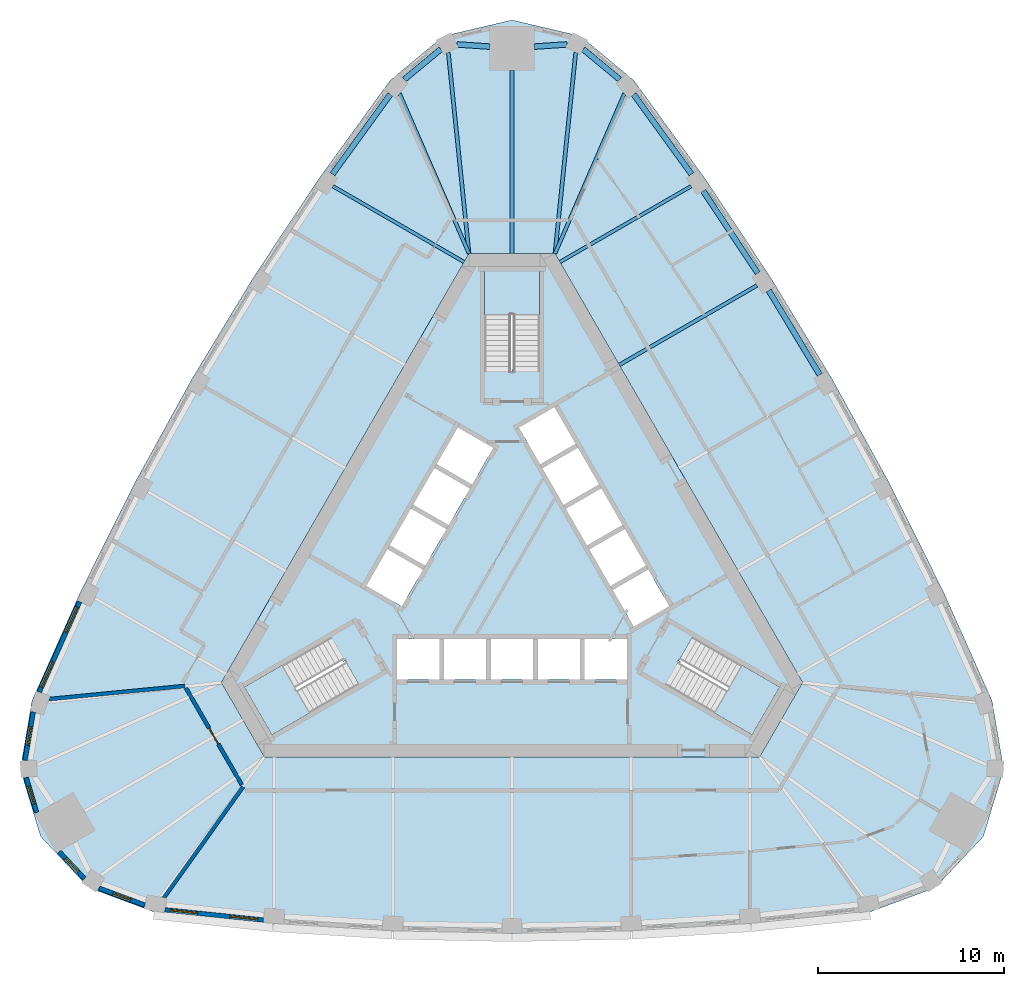
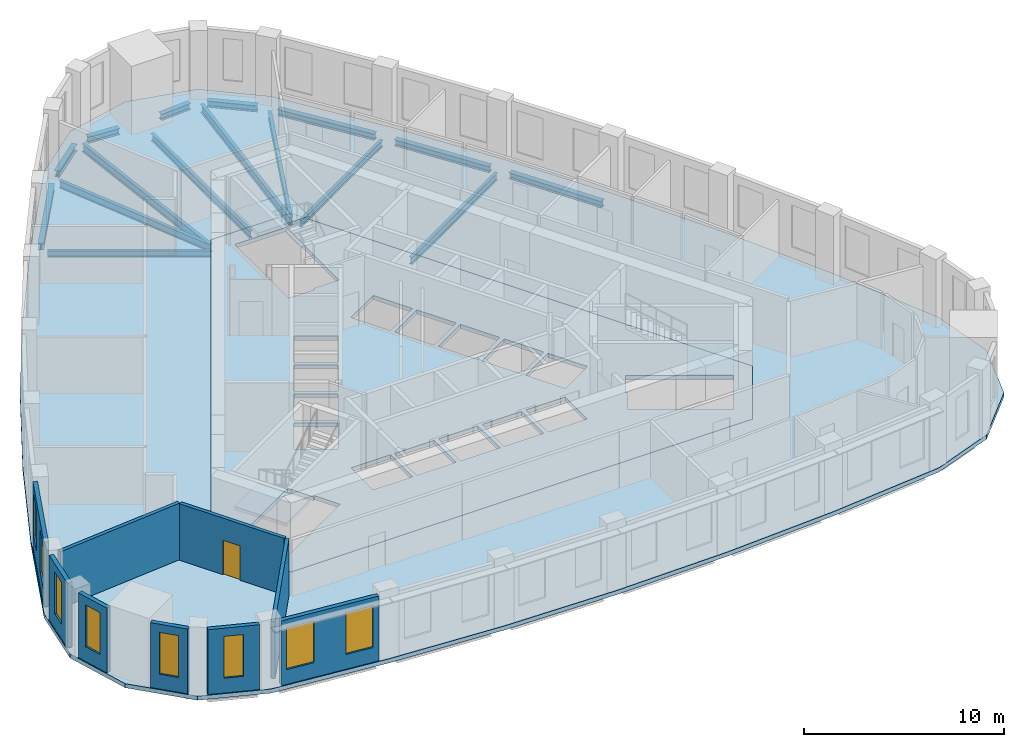
# One storey, part 2 of 10: 16 beams, 9 walls, 8 windows, 5 slabs, 1 door, 9 openings, 3 elements without a shape of their own.
"""IFC4 building model written with IfcOpenShell, lengths in metres."""

from ifc_helpers import new_model, si_unit, direction, frame, frame_2d, origin, origin_2d, place, context, subcontext, project, spatial, polyline, rectangle, i_section, outline, extrude, material, layer, layer_set, material_profile, profile_set, type_object, element, fill, aggregate, save


model = new_model("IFC4")

# Units and contexts
model_context = context("Model", 3, precision=1e-05, world=origin(), true_north=direction((0.0, 1.0)))
body_context = subcontext(model_context, "Body", "Model", "MODEL_VIEW")
ifc_project = project(units=[si_unit("LENGTHUNIT", "METRE"), si_unit("AREAUNIT", "SQUARE_METRE"), si_unit("VOLUMEUNIT", "CUBIC_METRE"), si_unit("PLANEANGLEUNIT", "RADIAN"), si_unit("MASSUNIT", "GRAM", prefix="KILO")], contexts=[model_context])

# Site, building, storey
site_placement = place(None, origin())
site = spatial("IfcSite", under=ifc_project, at=site_placement, CompositionType="ELEMENT")
building_placement = place(site_placement, origin())
building = spatial("IfcBuilding", under=site, at=building_placement, Name="Mestral Congress Tower", CompositionType="ELEMENT")
storey_placement = place(building_placement, frame((0.0, 0.0, 226.800048828125)))
storey = spatial("IfcBuildingStorey", under=building, at=storey_placement, Name="L53", CompositionType="ELEMENT", Elevation=226.800048828125)

# Beams
ifc_material_1 = material(Name="Steel S355", Category="steel")
ifc_material_profile_1 = material_profile(ifc_material_1, i_section(OverallWidth=0.179931640625, OverallDepth=0.39990234375, WebThickness=0.008544921875, FlangeThickness=0.013427734375, FilletRadius=0.02099609375, at=origin_2d()), Name="IPE 400")
ifc_profile_set_1 = profile_set([ifc_material_profile_1], Name="Steel S355")
beam_type_1 = type_object("IfcBeamType", Name="Floor beam IPE 400 S355", PredefinedType="BEAM", material=ifc_profile_set_1)
for number, where, z_axis, x_axis, name in (
    (1, (9.627197265625, 20.321533203125, -0.449951171875), (-0.86601443812, -0.500018992608, 0.0), (0.500018992608, -0.86601443812, 0.0), "BM-L53-RB4-E05"),
    (2, (-9.627197265625, 20.321533203125, -0.449951171875), (0.86601443812, -0.500018992608, 0.0), (0.500018992608, 0.86601443812, 0.0), "BM-L53-RB4-W01"),
):
    element("IfcBeam", number, at=place(storey_placement, frame(where, z_axis=z_axis, x_axis=x_axis)), inside=storey, type_object=beam_type_1, Name=name, PredefinedType="BEAM", context=body_context, shape_type="SweptSolid", body=[
        extrude(i_section(OverallWidth=0.179931640625, OverallDepth=0.39990234375, WebThickness=0.008544921875, FlangeThickness=0.013427734375, FilletRadius=0.02099609375, at=origin_2d()), origin(), (0.0, 0.0, 1.0), 8.148193359375),
    ])
ifc_material_profile_2 = material_profile(ifc_material_1, i_section(OverallWidth=0.18994140625, OverallDepth=0.449951171875, WebThickness=0.009521484375, FlangeThickness=0.0146484375, FilletRadius=0.02099609375, at=origin_2d()), Name="IPE 450")
ifc_profile_set_2 = profile_set([ifc_material_profile_2], Name="Steel S355")
beam_type_2 = type_object("IfcBeamType", Name="Floor beam IPE 450 S355", PredefinedType="BEAM", material=ifc_profile_set_2)
beam_1_placement = place(storey_placement, frame((13.16650390625, 14.98974609375, -0.47509765625), z_axis=(-0.866028621479, -0.499994426748, 0.0), x_axis=(0.499994426748, -0.866028621479, 0.0)))
element("IfcBeam", 3, at=beam_1_placement, inside=storey, type_object=beam_type_2, Name="BM-L53-RB4-E04", PredefinedType="BEAM", context=body_context, shape_type="SweptSolid", body=[
    extrude(i_section(OverallWidth=0.18994140625, OverallDepth=0.449951171875, WebThickness=0.009521484375, FlangeThickness=0.0146484375, FilletRadius=0.02099609375, at=origin_2d()), origin(), (0.0, 0.0, 1.0), 8.54736328125),
])
beam_2_placement = place(storey_placement, frame((6.0419921875, 25.296875, -0.47509765625), z_axis=(-0.398265997009, -0.91726996878, 0.0), x_axis=(0.91726996878, -0.398265997009, 0.0)))
element("IfcBeam", 4, at=beam_2_placement, inside=storey, type_object=beam_type_2, Name="BM-L53-RB4-E06", PredefinedType="BEAM", context=body_context, shape_type="SweptSolid", body=[
    extrude(i_section(OverallWidth=0.18994140625, OverallDepth=0.449951171875, WebThickness=0.009521484375, FlangeThickness=0.0146484375, FilletRadius=0.02099609375, at=origin_2d()), origin(), (0.0, 0.0, 1.0), 9.372314453125),
])
beam_3_placement = place(storey_placement, frame((0.0, 26.54443359375, -0.47509765625), z_axis=(0.0, -1.0, 0.0), x_axis=(1.0, 0.0, 0.0)))
element("IfcBeam", 5, at=beam_3_placement, inside=storey, type_object=beam_type_2, Name="BM-L53-RB4-N", PredefinedType="BEAM", context=body_context, shape_type="SweptSolid", body=[
    extrude(i_section(OverallWidth=0.18994140625, OverallDepth=0.449951171875, WebThickness=0.009521484375, FlangeThickness=0.0146484375, FilletRadius=0.02099609375, at=origin_2d()), origin(), (0.0, 0.0, 1.0), 9.844482421875),
])
beam_4_placement = place(storey_placement, frame((-6.0419921875, 25.296875, -0.47509765625), z_axis=(0.398265997009, -0.91726996878, 0.0), x_axis=(0.91726996878, 0.398265997009, 0.0)))
element("IfcBeam", 6, at=beam_4_placement, inside=storey, type_object=beam_type_2, Name="BM-L53-RB4-W00", PredefinedType="BEAM", context=body_context, shape_type="SweptSolid", body=[
    extrude(i_section(OverallWidth=0.18994140625, OverallDepth=0.449951171875, WebThickness=0.009521484375, FlangeThickness=0.0146484375, FilletRadius=0.02099609375, at=origin_2d()), origin(), (0.0, 0.0, 1.0), 9.372314453125),
])
ifc_material_profile_3 = material_profile(ifc_material_1, i_section(OverallWidth=0.199951171875, OverallDepth=0.5, WebThickness=0.01025390625, FlangeThickness=0.01611328125, FilletRadius=0.02099609375, at=origin_2d()), Name="IPE 500")
ifc_profile_set_3 = profile_set([ifc_material_profile_3], Name="Steel S355")
beam_type_3 = type_object("IfcBeamType", Name="Floor beam IPE 500 S355", PredefinedType="BEAM", material=ifc_profile_set_3)
for number, where, z_axis, x_axis, name in (
    (7, (3.4228515625, 27.5009765625, -0.5), (-0.102550876252, -0.994727760636, 0.0), (0.994727760636, -0.102550876252, 0.0), "BM-L53-RB4-N1"),
    (8, (-3.4228515625, 27.5009765625, -0.5), (0.102550876252, -0.994727760636, 0.0), (0.994727760636, 0.102550876252, 0.0), "BM-L53-RB4-N3"),
):
    element("IfcBeam", number, at=place(storey_placement, frame(where, z_axis=z_axis, x_axis=x_axis)), inside=storey, type_object=beam_type_3, Name=name, PredefinedType="BEAM", context=body_context, shape_type="SweptSolid", body=[
        extrude(i_section(OverallWidth=0.199951171875, OverallDepth=0.5, WebThickness=0.01025390625, FlangeThickness=0.01611328125, FilletRadius=0.02099609375, at=origin_2d()), origin(), (0.0, 0.0, 1.0), 10.858154296875),
    ])
ifc_material_profile_4 = material_profile(ifc_material_1, i_section(OverallWidth=0.300048828125, OverallDepth=0.389892578125, WebThickness=0.010986328125, FlangeThickness=0.01904296875, FilletRadius=0.027099609375, at=origin_2d()), Name="HEA 400")
ifc_profile_set_4 = profile_set([ifc_material_profile_4], Name="Steel S355")
beam_type_4 = type_object("IfcBeamType", Name="Spandrel beam HEA 400 S355", PredefinedType="BEAM", material=ifc_profile_set_4)
for number, where, z_axis, x_axis, name in (
    (9, (16.54248046875, 10.185791015625, -0.445068359375), (-0.517865676042, 0.855461946306, 0.0), (-0.855461946306, -0.517865676042, 0.0), "SP-L53-SB4-E03"),
    (10, (13.209228515625, 15.648193359375, -0.445068359375), (-0.552934106774, 0.833224983762, 0.0), (-0.833224983762, -0.552934106774, 0.0), "SP-L53-SB4-E04"),
):
    element("IfcBeam", number, at=place(storey_placement, frame(where, z_axis=z_axis, x_axis=x_axis)), inside=storey, type_object=beam_type_4, Name=name, PredefinedType="BEAM", context=body_context, shape_type="SweptSolid", body=[
        extrude(i_section(OverallWidth=0.300048828125, OverallDepth=0.389892578125, WebThickness=0.010986328125, FlangeThickness=0.01904296875, FilletRadius=0.027099609375, at=origin_2d()), origin(), (0.0, 0.0, 1.0), 5.29931640625),
    ])
beam_5_placement = place(storey_placement, frame((9.652099609375, 20.967529296875, -0.445068359375), z_axis=(-0.587017415163, 0.809574304369, 0.0), x_axis=(-0.809574304369, -0.587017415163, 0.0)))
element("IfcBeam", 11, at=beam_5_placement, inside=storey, type_object=beam_type_4, Name="SP-L53-SB4-E05", PredefinedType="BEAM", context=body_context, shape_type="SweptSolid", body=[
    extrude(i_section(OverallWidth=0.300048828125, OverallDepth=0.389892578125, WebThickness=0.010986328125, FlangeThickness=0.01904296875, FilletRadius=0.027099609375, at=origin_2d()), origin(), (0.0, 0.0, 1.0), 5.29736328125),
])
beam_6_placement = place(storey_placement, frame((5.789306640625, 26.058837890625, -0.445068359375), z_axis=(-0.769970431757, 0.638079567311, 0.0), x_axis=(-0.638079567311, -0.769970431757, 0.0)))
element("IfcBeam", 12, at=beam_6_placement, inside=storey, type_object=beam_type_4, Name="SP-L53-SB4-E06", PredefinedType="BEAM", context=body_context, shape_type="SweptSolid", body=[
    extrude(i_section(OverallWidth=0.300048828125, OverallDepth=0.389892578125, WebThickness=0.010986328125, FlangeThickness=0.01904296875, FilletRadius=0.027099609375, at=origin_2d()), origin(), (0.0, 0.0, 1.0), 2.547119140625),
])
for number, where, z_axis, x_axis, name in (
    (13, (2.9521484375, 27.94384765625, -0.445068359375), (-0.997724466462, -0.067423208337, 0.0), (0.067423208337, -0.997724466462, 0.0), "SP-L53-SB4-N1"),
    (14, (-1.199951171875, 27.825439453125, -0.445068359375), (-0.997724466462, 0.067423208337, 0.0), (-0.067423208337, -0.997724466462, 0.0), "SP-L53-SB4-N"),
):
    element("IfcBeam", number, at=place(storey_placement, frame(where, z_axis=z_axis, x_axis=x_axis)), inside=storey, type_object=beam_type_4, Name=name, PredefinedType="BEAM", context=body_context, shape_type="SweptSolid", body=[
        extrude(i_section(OverallWidth=0.300048828125, OverallDepth=0.389892578125, WebThickness=0.010986328125, FlangeThickness=0.01904296875, FilletRadius=0.027099609375, at=origin_2d()), origin(), (0.0, 0.0, 1.0), 1.756103515625),
    ])
beam_7_placement = place(storey_placement, frame((-3.828125, 27.68408203125, -0.445068359375), z_axis=(-0.769970431757, -0.638079567311, 0.0), x_axis=(0.638079567311, -0.769970431757, 0.0)))
element("IfcBeam", 15, at=beam_7_placement, inside=storey, type_object=beam_type_4, Name="SP-L53-SB4-N3", PredefinedType="BEAM", context=body_context, shape_type="SweptSolid", body=[
    extrude(i_section(OverallWidth=0.300048828125, OverallDepth=0.389892578125, WebThickness=0.010986328125, FlangeThickness=0.01904296875, FilletRadius=0.027099609375, at=origin_2d()), origin(), (0.0, 0.0, 1.0), 2.547119140625),
])
beam_8_placement = place(storey_placement, frame((-6.54248046875, 25.256103515625, -0.445068359375), z_axis=(-0.587017415163, -0.809574304369, 0.0), x_axis=(0.809574304369, -0.587017415163, 0.0)))
element("IfcBeam", 16, at=beam_8_placement, inside=storey, type_object=beam_type_4, Name="SP-L53-SB4-W00", PredefinedType="BEAM", context=body_context, shape_type="SweptSolid", body=[
    extrude(i_section(OverallWidth=0.300048828125, OverallDepth=0.389892578125, WebThickness=0.010986328125, FlangeThickness=0.01904296875, FilletRadius=0.027099609375, at=origin_2d()), origin(), (0.0, 0.0, 1.0), 5.29736328125),
])

# Slabs
ifc_material_2 = material(Name="Concrete C35/45", Category="concrete")
ifc_layer_1 = layer(ifc_material_2, 0.25)
ifc_layer_set_1 = layer_set([ifc_layer_1], Name="Concrete C35/45")
slab_type_1 = type_object("IfcSlabType", Name="Composite floor slab 250", PredefinedType="FLOOR", material=ifc_layer_set_1)
placement_1 = place(storey_placement, frame((0.0, 0.0, -0.25)))
element("IfcSlab", 17, at=placement_1, inside=storey, type_object=slab_type_1, Name="SL-L53", PredefinedType="FLOOR", context=body_context, shape_type="SweptSolid", body=[
    extrude(outline(polyline([(-19.253662109375, -18.678466796875), (-22.75, -17.381591796875), (-25.3369140625, -14.62841796875), (-26.427978515625, -11.01123046875), (-25.802978515625, -7.334716796875), (-23.16748046875, -1.4306640625), (-20.310302734375, 4.316650390625), (-17.21728515625, 9.9404296875), (-13.8935546875, 15.430908203125), (-10.3447265625, 20.77880859375), (-6.54931640625, 26.013427734375), (-3.677978515625, 28.392822265625), (0.0, 29.256591796875), (3.677978515625, 28.392822265625), (6.54931640625, 26.013427734375), (10.3447265625, 20.77880859375), (13.8935546875, 15.430908203125), (17.21728515625, 9.9404296875), (20.310302734375, 4.316650390625), (23.16748046875, -1.4306640625), (25.802978515625, -7.334716796875), (26.427978515625, -11.01123046875), (25.3369140625, -14.62841796875), (22.75, -17.381591796875), (19.253662109375, -18.678466796875), (12.822509765625, -19.34814453125), (6.416748046875, -19.74755859375), (0.0, -19.880615234375), (-6.416748046875, -19.74755859375), (-12.822509765625, -19.34814453125), (-19.253662109375, -18.678466796875)]), holes=[polyline([(-2.309326171875, 16.699951171875), (-15.6171875, -6.35009765625), (-13.307861328125, -10.35009765625), (13.307861328125, -10.35009765625), (15.6171875, -6.35009765625), (2.309326171875, 16.699951171875), (-2.309326171875, 16.699951171875)])]), origin(), (0.0, 0.0, 1.0), 0.25),
])
ifc_material_3 = material(Name="Concrete C60/75", Category="concrete")
ifc_layer_2 = layer(ifc_material_3, 0.25)
ifc_layer_set_2 = layer_set([ifc_layer_2], Name="Concrete C60/75")
slab_type_2 = type_object("IfcSlabType", Name="Core floor slab RC 250", PredefinedType="FLOOR", material=ifc_layer_set_2)
element("IfcSlab", 18, at=placement_1, inside=storey, type_object=slab_type_2, Name="L53 core floor", PredefinedType="FLOOR", context=body_context, shape_type="SweptSolid", body=[
    extrude(outline(polyline([(13.307861328125, -10.35009765625), (-13.307861328125, -10.35009765625), (-15.6171875, -6.35009765625), (-2.309326171875, 16.699951171875), (2.309326171875, 16.699951171875), (15.6171875, -6.35009765625), (13.307861328125, -10.35009765625)]), holes=[polyline([(-9.8046875, -3.95751953125), (-14.37744140625, -6.59765625), (-12.90234375, -9.15234375), (-8.234619140625, -6.45751953125), (-8.971923828125, -5.179931640625), (-9.0673828125, -5.235107421875), (-9.8046875, -3.95751953125)]), polyline([(-3.905029296875, -4.0), (-6.175048828125, -4.0), (-6.175048828125, -6.199951171875), (-3.905029296875, -6.199951171875), (-3.905029296875, -4.0)]), polyline([(-1.385009765625, -4.0), (-3.655029296875, -4.0), (-3.655029296875, -6.199951171875), (-1.385009765625, -6.199951171875), (-1.385009765625, -4.0)]), polyline([(1.135009765625, -4.0), (-1.135009765625, -4.0), (-1.135009765625, -6.199951171875), (1.135009765625, -6.199951171875), (1.135009765625, -4.0)]), polyline([(-5.921630859375, -2.256591796875), (-4.78662109375, -0.29052734375), (-6.69189453125, 0.809326171875), (-7.826904296875, -1.156494140625), (-5.921630859375, -2.256591796875)]), polyline([(-4.66162109375, -0.07421875), (-3.526611328125, 1.8916015625), (-5.431884765625, 2.99169921875), (-6.56689453125, 1.02587890625), (-4.66162109375, -0.07421875)]), polyline([(-3.401611328125, 2.1083984375), (-2.2666015625, 4.07421875), (-4.171875, 5.174072265625), (-5.306884765625, 3.208251953125), (-3.401611328125, 2.1083984375)]), polyline([(-2.1416015625, 4.29052734375), (-1.006591796875, 6.256591796875), (-2.911865234375, 7.3564453125), (-4.046875, 5.390625), (-2.1416015625, 4.29052734375)]), polyline([(1.47509765625, 10.469970703125), (1.47509765625, 15.75), (-1.47509765625, 15.75), (-1.47509765625, 10.360107421875), (0.0, 10.360107421875), (0.0, 10.469970703125), (1.47509765625, 10.469970703125)]), polyline([(8.329833984375, -6.512451171875), (12.90234375, -9.15234375), (14.37744140625, -6.59765625), (9.70947265625, -3.902587890625), (8.971923828125, -5.179931640625), (9.0673828125, -5.235107421875), (8.329833984375, -6.512451171875)]), polyline([(3.655029296875, -4.0), (1.385009765625, -4.0), (1.385009765625, -6.199951171875), (3.655029296875, -6.199951171875), (3.655029296875, -4.0)]), polyline([(6.175048828125, -4.0), (3.905029296875, -4.0), (3.905029296875, -6.199951171875), (6.175048828125, -6.199951171875), (6.175048828125, -4.0)]), polyline([(5.41650390625, -1.3818359375), (6.551513671875, -3.34765625), (8.456787109375, -2.247802734375), (7.322021484375, -0.28173828125), (5.41650390625, -1.3818359375)]), polyline([(4.156494140625, 0.800537109375), (5.29150390625, -1.165283203125), (7.197021484375, -0.065185546875), (6.06201171875, 1.900634765625), (4.156494140625, 0.800537109375)]), polyline([(2.896484375, 2.98291015625), (4.031494140625, 1.01708984375), (5.93701171875, 2.1171875), (4.802001953125, 4.0830078125), (2.896484375, 2.98291015625)]), polyline([(3.5419921875, 6.265380859375), (1.63671875, 5.165283203125), (2.771484375, 3.199462890625), (4.677001953125, 4.29931640625), (3.5419921875, 6.265380859375)]), polyline([(2.281982421875, 8.44775390625), (0.376708984375, 7.34765625), (1.51171875, 5.3818359375), (3.4169921875, 6.481689453125), (2.281982421875, 8.44775390625)])]), origin(), (0.0, 0.0, 1.0), 0.25),
])

# Stair, slab
stair_type = type_object("IfcStairType", Name="Exit stair 1400", PredefinedType="HALF_TURN_STAIR", material=ifc_material_3)
placement_2 = place(storey_placement, origin())
stair_1 = element("IfcStair", 19, at=placement_2, inside=storey, type_object=stair_type, Name="L53 ST1", PredefinedType="HALF_TURN_STAIR")
ifc_layer_3 = layer(ifc_material_3, 0.199951171875)
ifc_layer_set_3 = layer_set([ifc_layer_3], Name="Concrete C60/75")
slab_type_3 = type_object("IfcSlabType", Name="Exit stair landing 200", PredefinedType="LANDING", material=ifc_layer_set_3)
placement_3 = place(storey_placement, frame((0.0, 0.0, 1.89990234375)))
slab_3 = element("IfcSlab", 20, at=placement_3, type_object=slab_type_3, Name="ST1 landing 1", PredefinedType="LANDING", context=body_context, shape_type="SweptSolid", body=[
    extrude(outline(polyline([(10.879638671875, -7.99609375), (12.364501953125, -5.424072265625), (14.39111328125, -6.593994140625), (12.906005859375, -9.166015625), (10.879638671875, -7.99609375)])), origin(), (0.0, 0.0, 1.0), 0.199951171875),
])
aggregate(stair_1, [slab_3])

stair_2 = element("IfcStair", 21, at=placement_2, inside=storey, type_object=stair_type, Name="L53 ST2", PredefinedType="HALF_TURN_STAIR")
slab_4 = element("IfcSlab", 22, at=placement_3, type_object=slab_type_3, Name="ST2 landing 1", PredefinedType="LANDING", context=body_context, shape_type="SweptSolid", body=[
    extrude(outline(polyline([(1.485107421875, 13.419921875), (-1.485107421875, 13.419921875), (-1.485107421875, 15.760009765625), (1.485107421875, 15.760009765625), (1.485107421875, 13.419921875)])), origin(), (0.0, 0.0, 1.0), 0.199951171875),
])
aggregate(stair_2, [slab_4])

stair_3 = element("IfcStair", 23, at=placement_2, inside=storey, type_object=stair_type, Name="L53 ST3", PredefinedType="HALF_TURN_STAIR")
slab_5 = element("IfcSlab", 24, at=placement_3, type_object=slab_type_3, Name="ST3 landing 1", PredefinedType="LANDING", context=body_context, shape_type="SweptSolid", body=[
    extrude(outline(polyline([(-12.364501953125, -5.424072265625), (-10.879638671875, -7.99609375), (-12.906005859375, -9.166015625), (-14.39111328125, -6.593994140625), (-12.364501953125, -5.424072265625)])), origin(), (0.0, 0.0, 1.0), 0.199951171875),
])
aggregate(stair_3, [slab_5])

# Wall, openings, windows
ifc_material_4 = material(Name="Precast concrete C40/50 with limestone facing", Category="masonry")
ifc_layer_4 = layer(ifc_material_4, 0.239990234375)
ifc_layer_set_4 = layer_set([ifc_layer_4], Name="Precast concrete C40/50 with limestone facing")
wall_type_1 = type_object("IfcWallType", Name="Facade stone wall 240", PredefinedType="SOLIDWALL", material=ifc_layer_set_4)
wall_1_placement = place(storey_placement, frame((-18.644287109375, -18.571044921875, 0.0), z_axis=(0.0, 0.0, 1.0), x_axis=(0.994621961215, -0.103571976272, 0.0)))
wall_1 = element("IfcWall", 25, at=wall_1_placement, inside=storey, type_object=wall_type_1, Name="Facade wall F0-00", PredefinedType="SOLIDWALL", context=body_context, shape_type="SweptSolid", body=[
    extrude(rectangle(XDim=5.310791015625, YDim=0.239990234375, at=frame_2d((2.6552734375, 0.0))), origin(), (0.0, 0.0, 1.0), 3.949951171875),
])
opening_1_placement = place(wall_1_placement, frame((0.271484375, 0.0, 0.89990234375)))
opening_1 = element("IfcOpeningElement", 26, at=opening_1_placement, cuts=wall_1, Name="Opening W4", PredefinedType="OPENING", context=body_context, shape_type="SweptSolid", body=[
    extrude(rectangle(XDim=1.5, YDim=2.550048828125, at=frame_2d((0.75, 1.27490234375))), frame((0.0, 0.1298828125, 0.0), z_axis=(0.0, -1.0, 0.0), x_axis=(1.0, 0.0, 0.0)), (0.0, 0.0, 1.0), 0.260009765625),
])
opening_2_placement = place(wall_1_placement, frame((3.50439453125, 0.0, 0.89990234375)))
opening_2 = element("IfcOpeningElement", 27, at=opening_2_placement, cuts=wall_1, Name="Opening W4", PredefinedType="OPENING", context=body_context, shape_type="SweptSolid", body=[
    extrude(rectangle(XDim=1.5, YDim=2.550048828125, at=frame_2d((0.75, 1.27490234375))), frame((0.0, 0.1298828125, 0.0), z_axis=(0.0, -1.0, 0.0), x_axis=(1.0, 0.0, 0.0)), (0.0, 0.0, 1.0), 0.260009765625),
])
ifc_material_5 = material(Name="Clear low-emissivity double glazing", Category="glass")
window_type_1 = type_object("IfcWindowType", Name="Facade punched window 1500 x 2550 sill 900", PartitioningType="SINGLE_PANEL", PredefinedType="WINDOW", material=ifc_material_5)
window_1_placement = place(opening_1_placement, origin())
window_1 = element("IfcWindow", 28, at=window_1_placement, inside=storey, type_object=window_type_1, Name="Window F0-00a", OverallHeight=2.550048828125, OverallWidth=1.5, PartitioningType="SINGLE_PANEL", PredefinedType="WINDOW", context=body_context, shape_type="SweptSolid", body=[
    extrude(rectangle(XDim=1.5, YDim=2.550048828125, at=frame_2d((0.75, 1.27490234375))), frame((0.0, 0.0400390625, 0.0), z_axis=(0.0, -1.0, 0.0), x_axis=(1.0, 0.0, 0.0)), (0.0, 0.0, 1.0), 0.06005859375),
])
fill(opening_1, window_1)
window_2_placement = place(opening_2_placement, origin())
window_2 = element("IfcWindow", 29, at=window_2_placement, inside=storey, type_object=window_type_1, Name="Window F0-00b", OverallHeight=2.550048828125, OverallWidth=1.5, PartitioningType="SINGLE_PANEL", PredefinedType="WINDOW", context=body_context, shape_type="SweptSolid", body=[
    extrude(rectangle(XDim=1.5, YDim=2.550048828125, at=frame_2d((0.75, 1.27490234375))), frame((0.0, 0.0400390625, 0.0), z_axis=(0.0, -1.0, 0.0), x_axis=(1.0, 0.0, 0.0)), (0.0, 0.0, 1.0), 0.06005859375),
])
fill(opening_2, window_2)

wall_2_placement = place(storey_placement, frame((-23.240478515625, -2.01123046875, 0.0), z_axis=(0.0, 0.0, 1.0), x_axis=(-0.407579651789, -0.913169659728, 0.0)))
wall_2 = element("IfcWall", 30, at=wall_2_placement, inside=storey, type_object=wall_type_1, Name="Facade wall F2-05", PredefinedType="SOLIDWALL", context=body_context, shape_type="SweptSolid", body=[
    extrude(rectangle(XDim=5.310791015625, YDim=0.239990234375, at=frame_2d((2.6552734375, 0.0))), origin(), (0.0, 0.0, 1.0), 3.949951171875),
])
opening_3_placement = place(wall_2_placement, frame((0.306396484375, 0.0, 0.89990234375)))
opening_3 = element("IfcOpeningElement", 31, at=opening_3_placement, cuts=wall_2, Name="Opening W4", PredefinedType="OPENING", context=body_context, shape_type="SweptSolid", body=[
    extrude(rectangle(XDim=1.5, YDim=2.550048828125, at=frame_2d((0.75, 1.27490234375))), frame((0.0, 0.1298828125, 0.0), z_axis=(0.0, -1.0, 0.0), x_axis=(1.0, 0.0, 0.0)), (0.0, 0.0, 1.0), 0.260009765625),
])
opening_4_placement = place(wall_2_placement, frame((3.539306640625, 0.0, 0.89990234375)))
opening_4 = element("IfcOpeningElement", 32, at=opening_4_placement, cuts=wall_2, Name="Opening W4", PredefinedType="OPENING", context=body_context, shape_type="SweptSolid", body=[
    extrude(rectangle(XDim=1.5, YDim=2.550048828125, at=frame_2d((0.75, 1.27490234375))), frame((0.0, 0.1298828125, 0.0), z_axis=(0.0, -1.0, 0.0), x_axis=(1.0, 0.0, 0.0)), (0.0, 0.0, 1.0), 0.260009765625),
])
window_3_placement = place(opening_3_placement, origin())
window_3 = element("IfcWindow", 33, at=window_3_placement, inside=storey, type_object=window_type_1, Name="Window F2-05a", OverallHeight=2.550048828125, OverallWidth=1.5, PartitioningType="SINGLE_PANEL", PredefinedType="WINDOW", context=body_context, shape_type="SweptSolid", body=[
    extrude(rectangle(XDim=1.5, YDim=2.550048828125, at=frame_2d((0.75, 1.27490234375))), frame((0.0, 0.0400390625, 0.0), z_axis=(0.0, -1.0, 0.0), x_axis=(1.0, 0.0, 0.0)), (0.0, 0.0, 1.0), 0.06005859375),
])
fill(opening_3, window_3)
window_4_placement = place(opening_4_placement, origin())
window_4 = element("IfcWindow", 34, at=window_4_placement, inside=storey, type_object=window_type_1, Name="Window F2-05b", OverallHeight=2.550048828125, OverallWidth=1.5, PartitioningType="SINGLE_PANEL", PredefinedType="WINDOW", context=body_context, shape_type="SweptSolid", body=[
    extrude(rectangle(XDim=1.5, YDim=2.550048828125, at=frame_2d((0.75, 1.27490234375))), frame((0.0, 0.0400390625, 0.0), z_axis=(0.0, -1.0, 0.0), x_axis=(1.0, 0.0, 0.0)), (0.0, 0.0, 1.0), 0.06005859375),
])
fill(opening_4, window_4)

# Wall, opening, window
wall_3_placement = place(storey_placement, frame((-25.734130859375, -7.94482421875, 0.0), z_axis=(0.0, 0.0, 1.0), x_axis=(-0.167660055546, -0.985844869021, 0.0)))
wall_3 = element("IfcWall", 35, at=wall_3_placement, inside=storey, type_object=wall_type_1, Name="Facade wall K2-0", PredefinedType="SOLIDWALL", context=body_context, shape_type="SweptSolid", body=[
    extrude(rectangle(XDim=2.609375, YDim=0.239990234375, at=frame_2d((1.3046875, 0.0))), origin(), (0.0, 0.0, 1.0), 3.949951171875),
])
opening_5_placement = place(wall_3_placement, frame((0.8046875, 0.0, 0.89990234375)))
opening_5 = element("IfcOpeningElement", 36, at=opening_5_placement, cuts=wall_3, Name="Opening W5", PredefinedType="OPENING", context=body_context, shape_type="SweptSolid", body=[
    extrude(rectangle(XDim=1.0, YDim=2.550048828125, at=frame_2d((0.5, 1.27490234375))), frame((0.0, 0.1298828125, 0.0), z_axis=(0.0, -1.0, 0.0), x_axis=(1.0, 0.0, 0.0)), (0.0, 0.0, 1.0), 0.260009765625),
])
window_type_2 = type_object("IfcWindowType", Name="Facade punched window 1000 x 2550 sill 900", PartitioningType="SINGLE_PANEL", PredefinedType="WINDOW", material=ifc_material_5)
window_5_placement = place(opening_5_placement, origin())
window_5 = element("IfcWindow", 37, at=window_5_placement, inside=storey, type_object=window_type_2, Name="Window K2-0", OverallHeight=2.550048828125, OverallWidth=1.0, PartitioningType="SINGLE_PANEL", PredefinedType="WINDOW", context=body_context, shape_type="SweptSolid", body=[
    extrude(rectangle(XDim=1.0, YDim=2.550048828125, at=frame_2d((0.5, 1.27490234375))), frame((0.0, 0.0400390625, 0.0), z_axis=(0.0, -1.0, 0.0), x_axis=(1.0, 0.0, 0.0)), (0.0, 0.0, 1.0), 0.06005859375),
])
fill(opening_5, window_5)

wall_4_placement = place(storey_placement, frame((-26.1123046875, -11.469482421875, 0.0), z_axis=(0.0, 0.0, 1.0), x_axis=(0.288727209095, -0.957411405159, 0.0)))
wall_4 = element("IfcWall", 38, at=wall_4_placement, inside=storey, type_object=wall_type_1, Name="Facade wall K2-1", PredefinedType="SOLIDWALL", context=body_context, shape_type="SweptSolid", body=[
    extrude(rectangle(XDim=1.9482421875, YDim=0.239990234375, at=frame_2d((0.97412109375, 0.0))), origin(), (0.0, 0.0, 1.0), 3.949951171875),
])
opening_6_placement = place(wall_4_placement, frame((0.47412109375, 0.0, 0.89990234375)))
opening_6 = element("IfcOpeningElement", 39, at=opening_6_placement, cuts=wall_4, Name="Opening W5", PredefinedType="OPENING", context=body_context, shape_type="SweptSolid", body=[
    extrude(rectangle(XDim=1.0, YDim=2.550048828125, at=frame_2d((0.5, 1.27490234375))), frame((0.0, 0.1298828125, 0.0), z_axis=(0.0, -1.0, 0.0), x_axis=(1.0, 0.0, 0.0)), (0.0, 0.0, 1.0), 0.260009765625),
])
window_6_placement = place(opening_6_placement, origin())
window_6 = element("IfcWindow", 40, at=window_6_placement, inside=storey, type_object=window_type_2, Name="Window K2-1", OverallHeight=2.550048828125, OverallWidth=1.0, PartitioningType="SINGLE_PANEL", PredefinedType="WINDOW", context=body_context, shape_type="SweptSolid", body=[
    extrude(rectangle(XDim=1.0, YDim=2.550048828125, at=frame_2d((0.5, 1.27490234375))), frame((0.0, 0.0400390625, 0.0), z_axis=(0.0, -1.0, 0.0), x_axis=(1.0, 0.0, 0.0)), (0.0, 0.0, 1.0), 0.06005859375),
])
fill(opening_6, window_6)

wall_5_placement = place(storey_placement, frame((-24.322998046875, -15.459228515625, 0.0), z_axis=(0.0, 0.0, 1.0), x_axis=(0.684770274166, -0.728758994194, 0.0)))
wall_5 = element("IfcWall", 41, at=wall_5_placement, inside=storey, type_object=wall_type_1, Name="Facade wall K2-2", PredefinedType="SOLIDWALL", context=body_context, shape_type="SweptSolid", body=[
    extrude(rectangle(XDim=1.947998046875, YDim=0.239990234375, at=frame_2d((0.97412109375, 0.0))), origin(), (0.0, 0.0, 1.0), 3.949951171875),
])
opening_7_placement = place(wall_5_placement, frame((0.47412109375, 0.0, 0.89990234375)))
opening_7 = element("IfcOpeningElement", 42, at=opening_7_placement, cuts=wall_5, Name="Opening W5", PredefinedType="OPENING", context=body_context, shape_type="SweptSolid", body=[
    extrude(rectangle(XDim=1.0, YDim=2.550048828125, at=frame_2d((0.5, 1.27490234375))), frame((0.0, 0.1298828125, 0.0), z_axis=(0.0, -1.0, 0.0), x_axis=(1.0, 0.0, 0.0)), (0.0, 0.0, 1.0), 0.260009765625),
])
window_7_placement = place(opening_7_placement, origin())
window_7 = element("IfcWindow", 43, at=window_7_placement, inside=storey, type_object=window_type_2, Name="Window K2-2", OverallHeight=2.550048828125, OverallWidth=1.0, PartitioningType="SINGLE_PANEL", PredefinedType="WINDOW", context=body_context, shape_type="SweptSolid", body=[
    extrude(rectangle(XDim=1.0, YDim=2.550048828125, at=frame_2d((0.5, 1.27490234375))), frame((0.0, 0.0400390625, 0.0), z_axis=(0.0, -1.0, 0.0), x_axis=(1.0, 0.0, 0.0)), (0.0, 0.0, 1.0), 0.06005859375),
])
fill(opening_7, window_7)

wall_6_placement = place(storey_placement, frame((-22.194091796875, -17.406494140625, 0.0), z_axis=(0.0, 0.0, 1.0), x_axis=(0.937569171184, -0.347798863203, 0.0)))
wall_6 = element("IfcWall", 44, at=wall_6_placement, inside=storey, type_object=wall_type_1, Name="Facade wall K2-3", PredefinedType="SOLIDWALL", context=body_context, shape_type="SweptSolid", body=[
    extrude(rectangle(XDim=2.609130859375, YDim=0.239990234375, at=frame_2d((1.3046875, 0.0))), origin(), (0.0, 0.0, 1.0), 3.949951171875),
])
opening_8_placement = place(wall_6_placement, frame((0.8046875, 0.0, 0.89990234375)))
opening_8 = element("IfcOpeningElement", 45, at=opening_8_placement, cuts=wall_6, Name="Opening W5", PredefinedType="OPENING", context=body_context, shape_type="SweptSolid", body=[
    extrude(rectangle(XDim=1.0, YDim=2.550048828125, at=frame_2d((0.5, 1.27490234375))), frame((0.0, 0.1298828125, 0.0), z_axis=(0.0, -1.0, 0.0), x_axis=(1.0, 0.0, 0.0)), (0.0, 0.0, 1.0), 0.260009765625),
])
window_8_placement = place(opening_8_placement, origin())
window_8 = element("IfcWindow", 46, at=window_8_placement, inside=storey, type_object=window_type_2, Name="Window K2-3", OverallHeight=2.550048828125, OverallWidth=1.0, PartitioningType="SINGLE_PANEL", PredefinedType="WINDOW", context=body_context, shape_type="SweptSolid", body=[
    extrude(rectangle(XDim=1.0, YDim=2.550048828125, at=frame_2d((0.5, 1.27490234375))), frame((0.0, 0.0400390625, 0.0), z_axis=(0.0, -1.0, 0.0), x_axis=(1.0, 0.0, 0.0)), (0.0, 0.0, 1.0), 0.06005859375),
])
fill(opening_8, window_8)

# Walls
ifc_material_6 = material(Name="Dense masonry wall, plastered", Category="masonry")
ifc_layer_5 = layer(ifc_material_6, 0.199951171875)
ifc_layer_set_5 = layer_set([ifc_layer_5], Name="Dense masonry wall, plastered")
wall_type_2 = type_object("IfcWallType", Name="Office tenancy wall 200", PredefinedType="PARTITIONING", material=ifc_layer_set_5)
for number, where, z_axis, x_axis, name in (
    (47, (-17.5859375, -6.540283203125, 0.0), (0.0, 0.0, 1.0), (-0.995357542522, -0.096246363795, 0.0), "Tenancy wall"),
    (48, (-14.45703125, -11.959716796875, 0.0), (0.0, 0.0, 1.0), (-0.581023578026, -0.813886725397, 0.0), "Tenancy wall"),
):
    element("IfcWall", number, at=place(storey_placement, frame(where, z_axis=z_axis, x_axis=x_axis)), inside=storey, type_object=wall_type_2, Name=name, PredefinedType="PARTITIONING", context=body_context, shape_type="SweptSolid", body=[
        extrude(rectangle(XDim=7.318115234375, YDim=0.199951171875, at=frame_2d((3.6591796875, 0.0))), origin(), (0.0, 0.0, 1.0), 3.449951171875),
    ])

# Wall, opening, door
wall_7_placement = place(storey_placement, frame((-17.531005859375, -6.635498046875, 0.0), z_axis=(0.0, 0.0, 1.0), x_axis=(0.500009459589, -0.866019942219, 0.0)))
wall_7 = element("IfcWall", 49, at=wall_7_placement, inside=storey, type_object=wall_type_2, Name="Tenancy wall", PredefinedType="PARTITIONING", context=body_context, shape_type="SweptSolid", body=[
    extrude(rectangle(XDim=6.0380859375, YDim=0.199951171875, at=frame_2d((3.01904296875, 0.0))), origin(), (0.0, 0.0, 1.0), 3.449951171875),
])
opening_9_placement = place(wall_7_placement, frame((2.5, 0.0, 0.0)))
opening_9 = element("IfcOpeningElement", 50, at=opening_9_placement, cuts=wall_7, Name="Opening O08-005", PredefinedType="OPENING", context=body_context, shape_type="SweptSolid", body=[
    extrude(rectangle(XDim=1.0, YDim=2.10009765625, at=frame_2d((0.5, 1.050048828125))), frame((0.0, 0.10986328125, 0.0), z_axis=(0.0, -1.0, 0.0), x_axis=(1.0, 0.0, 0.0)), (0.0, 0.0, 1.0), 0.219970703125),
])
ifc_material_7 = material(Name="Fire-rated timber door set", Category="wood")
door_type = type_object("IfcDoorType", Name="Office tenancy entrance door 1000x2100", OperationType="SINGLE_SWING_LEFT", PredefinedType="DOOR", material=ifc_material_7)
door_placement = place(opening_9_placement, origin())
door = element("IfcDoor", 51, at=door_placement, inside=storey, type_object=door_type, Name="Door O08-005", OperationType="SINGLE_SWING_LEFT", OverallHeight=2.10009765625, OverallWidth=1.0, PredefinedType="DOOR", context=body_context, shape_type="SweptSolid", body=[
    extrude(rectangle(XDim=1.0, YDim=2.10009765625, at=frame_2d((0.5, 1.050048828125))), frame((0.0, 0.02490234375, 0.0), z_axis=(0.0, -1.0, 0.0), x_axis=(1.0, 0.0, 0.0)), (0.0, 0.0, 1.0), 0.050048828125),
])
fill(opening_9, door)

save(model, "model.ifc")
